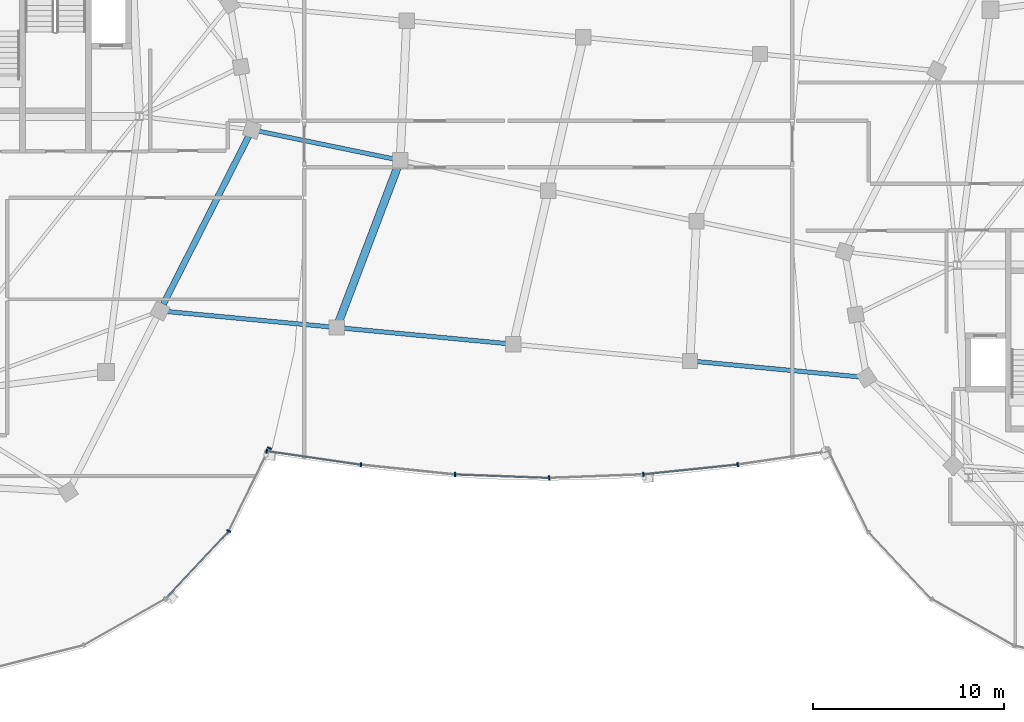
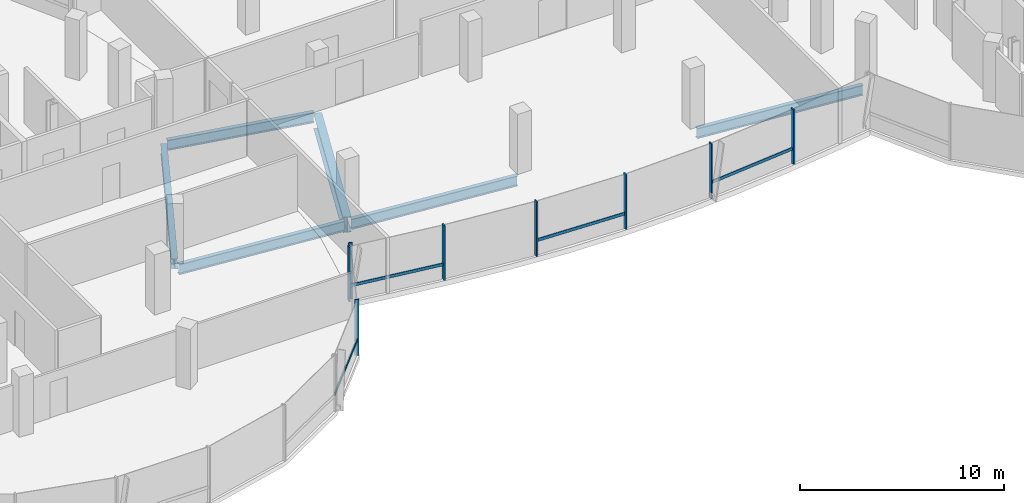
# One storey, part 4 of 26: 12 members, 6 beams, 2 elements without a shape of their own.
"""IFC4 building model written with IfcOpenShell, lengths in metres."""

from ifc_helpers import new_model, si_unit, direction, frame, origin, origin_2d, place, context, subcontext, project, spatial, rectangle, i_section, extrude, material, material_profile, profile_set, type_object, element, aggregate, save


model = new_model("IFC4")

# Units and contexts
model_context = context("Model", 3, precision=1e-05, world=origin(), true_north=direction((0.0, 1.0)))
body_context = subcontext(model_context, "Body", "Model", "MODEL_VIEW")
ifc_project = project(units=[si_unit("LENGTHUNIT", "METRE"), si_unit("AREAUNIT", "SQUARE_METRE"), si_unit("VOLUMEUNIT", "CUBIC_METRE"), si_unit("PLANEANGLEUNIT", "RADIAN"), si_unit("MASSUNIT", "GRAM", prefix="KILO"), si_unit("THERMODYNAMICTEMPERATUREUNIT", "KELVIN"), si_unit("POWERUNIT", "WATT")], contexts=[model_context])

# Site, building, storey
site_placement = place(None, origin())
site = spatial("IfcSite", under=ifc_project, at=site_placement, CompositionType="ELEMENT")
building_placement = place(site_placement, origin())
building = spatial("IfcBuilding", under=site, at=building_placement, Name="Cundina Bronze Exchange", CompositionType="ELEMENT")
storey_placement = place(building_placement, frame((0.0, 0.0, 261.199951171875)))
storey = spatial("IfcBuildingStorey", under=building, at=storey_placement, Name="L69", CompositionType="ELEMENT", Elevation=261.199951171875)

# Beams
ifc_material_1 = material(Name="Steel ASTM A992 Grade 50", Category="steel")
ifc_material_profile_1 = material_profile(ifc_material_1, i_section(OverallWidth=0.22998046875, OverallDepth=0.616943359375, WebThickness=0.01318359375, FlangeThickness=0.022216796875, FilletRadius=0.013916015625, at=origin_2d()), Name="W24X94", Category="steel")
ifc_profile_set_1 = profile_set([ifc_material_profile_1], Name="Steel ASTM A992 Grade 50")
beam_type_1 = type_object("IfcBeamType", Name="BM-FLR-W24B", PredefinedType="BEAM", material=ifc_profile_set_1)
for number, where, z_axis, x_axis, name in (
    (1, (-20.19580078125, -6.31689453125, -0.62841796875), (0.995572136276, -0.094000646124, 0.0), (0.094000646124, 0.995572136276, 0.0), "L69 Sky-Gate Longitudinal Girder Y1-P1"),
    (2, (-10.927001953125, -7.19189453125, -0.62841796875), (0.995572136276, -0.094000646124, 0.0), (0.094000646124, 0.995572136276, 0.0), "L69 Sky-Gate Longitudinal Girder Y1-P2"),
):
    element("IfcBeam", number, at=place(storey_placement, frame(where, z_axis=z_axis, x_axis=x_axis)), inside=storey, type_object=beam_type_1, Name=name, PredefinedType="BEAM", context=body_context, shape_type="SweptSolid", body=[
        extrude(i_section(OverallWidth=0.22998046875, OverallDepth=0.616943359375, WebThickness=0.01318359375, FlangeThickness=0.022216796875, FilletRadius=0.013916015625, at=origin_2d()), origin(), (0.0, 0.0, 1.0), 8.949951171875),
    ])
beam_1_placement = place(storey_placement, frame((7.610595703125, -8.94189453125, -0.62841796875), z_axis=(0.995571895232, -0.094003199007, 0.0), x_axis=(0.094003199007, 0.995571895232, 0.0)))
element("IfcBeam", 3, at=beam_1_placement, inside=storey, type_object=beam_type_1, Name="L69 Sky-Gate Longitudinal Girder Y1-P4", PredefinedType="BEAM", context=body_context, shape_type="SweptSolid", body=[
    extrude(i_section(OverallWidth=0.22998046875, OverallDepth=0.616943359375, WebThickness=0.01318359375, FlangeThickness=0.022216796875, FilletRadius=0.013916015625, at=origin_2d()), origin(), (0.0, 0.0, 1.0), 8.94970703125),
])
beam_2_placement = place(storey_placement, frame((-15.373779296875, 3.163818359375, -0.62841796875), z_axis=(0.979471264571, -0.20158383338, 0.0), x_axis=(0.20158383338, 0.979471264571, 0.0)))
element("IfcBeam", 4, at=beam_2_placement, inside=storey, type_object=beam_type_1, Name="L69 Sky-Gate Longitudinal Girder Y2-P1", PredefinedType="BEAM", context=body_context, shape_type="SweptSolid", body=[
    extrude(i_section(OverallWidth=0.22998046875, OverallDepth=0.616943359375, WebThickness=0.01318359375, FlangeThickness=0.022216796875, FilletRadius=0.013916015625, at=origin_2d()), origin(), (0.0, 0.0, 1.0), 7.577880859375),
])
ifc_material_profile_2 = material_profile(ifc_material_1, i_section(OverallWidth=0.324951171875, OverallDepth=0.615966796875, WebThickness=0.013916015625, FlangeThickness=0.021484375, FilletRadius=0.01611328125, at=origin_2d()), Name="W24X117", Category="steel")
ifc_profile_set_2 = profile_set([ifc_material_profile_2], Name="Steel ASTM A992 Grade 50")
beam_type_2 = type_object("IfcBeamType", Name="BM-RING-W24", PredefinedType="USERDEFINED", material=ifc_profile_set_2)
beam_3_placement = place(storey_placement, frame((-20.19921875, -5.9541015625, -0.56787109375), z_axis=(0.452839263805, 0.891592171991, 0.0), x_axis=(-0.891592171991, 0.452839263805, 0.0)))
element("IfcBeam", 5, at=beam_3_placement, inside=storey, type_object=beam_type_2, Name="L69 W Perimeter Ring Girder 13", ObjectType="GIRDER", PredefinedType="USERDEFINED", context=body_context, shape_type="SweptSolid", body=[
    extrude(i_section(OverallWidth=0.324951171875, OverallDepth=0.615966796875, WebThickness=0.013916015625, FlangeThickness=0.021484375, FilletRadius=0.01611328125, at=origin_2d()), origin(), (0.0, 0.0, 1.0), 9.879150390625),
])
ifc_material_profile_3 = material_profile(ifc_material_1, i_section(OverallWidth=0.41796875, OverallDepth=0.927001953125, WebThickness=0.019287109375, FlangeThickness=0.031982421875, FilletRadius=0.02392578125, at=origin_2d()), Name="W36X231", Category="steel")
ifc_profile_set_3 = profile_set([ifc_material_profile_3], Name="Steel ASTM A992 Grade 50")
beam_type_3 = type_object("IfcBeamType", Name="BM-WRN-W36B", PredefinedType="USERDEFINED", material=ifc_profile_set_3)
beam_4_placement = place(storey_placement, frame((-11.042236328125, -7.006591796875, -0.783447265625), z_axis=(0.354911890514, 0.934899753969, 0.0), x_axis=(-0.934899753969, 0.354911890514, 0.0)))
element("IfcBeam", 6, at=beam_4_placement, inside=storey, type_object=beam_type_3, Name="L69 Sky-Gate Transverse Girder X1-S", ObjectType="GIRDER", PredefinedType="USERDEFINED", context=body_context, shape_type="SweptSolid", body=[
    extrude(i_section(OverallWidth=0.41796875, OverallDepth=0.927001953125, WebThickness=0.019287109375, FlangeThickness=0.031982421875, FilletRadius=0.02392578125, at=origin_2d()), origin(), (0.0, 0.0, 1.0), 9.02587890625),
])

# Curtain wall, members
ifc_material_2 = material(Name="Anodised Bronze Aluminium 6063-T6", Category="aluminium")
curtain_wall_type = type_object("IfcCurtainWallType", Name="CWS-SKG-BRG", PredefinedType="NOTDEFINED", material=ifc_material_2)
curtain_wall_1_placement = place(storey_placement, origin())
curtain_wall_1 = element("IfcCurtainWall", 7, at=curtain_wall_1_placement, inside=storey, type_object=curtain_wall_type, Name="L69 CW-06 Curtain Wall Run CWR-L69-W4", PredefinedType="NOTDEFINED")
ifc_material_profile_4 = material_profile(ifc_material_2, rectangle(XDim=0.074951171875, YDim=0.219970703125, at=origin_2d()), Name="AL75X220", Category="aluminium")
ifc_profile_set_4 = profile_set([ifc_material_profile_4], Name="Anodised Bronze Aluminium 6063-T6")
member_type_1 = type_object("IfcMemberType", Name="CWM-MUL-220", PredefinedType="MULLION", material=ifc_profile_set_4)
member_1_placement = place(storey_placement, frame((-16.7666015625, -17.856689453125, 0.0), z_axis=(0.0, 0.0, 1.0), x_axis=(0.440566004113, 0.897720221461, 0.0)))
member_1 = element("IfcMember", 8, at=member_1_placement, type_object=member_type_1, Name="CW-06 Mullion 2", PredefinedType="MULLION", context=body_context, shape_type="SweptSolid", body=[
    extrude(rectangle(XDim=0.074951171875, YDim=0.219970703125, at=origin_2d()), origin(), (0.0, 0.0, 1.0), 3.340087890625),
])
member_2_placement = place(storey_placement, frame((-14.630859375, -13.50390625, 0.0), z_axis=(0.0, 0.0, 1.0), x_axis=(0.440566004113, 0.897720221461, 0.0)))
member_2 = element("IfcMember", 9, at=member_2_placement, type_object=member_type_1, Name="CW-06 End Mullion", PredefinedType="MULLION", context=body_context, shape_type="SweptSolid", body=[
    extrude(rectangle(XDim=0.074951171875, YDim=0.219970703125, at=origin_2d()), origin(), (0.0, 0.0, 1.0), 3.340087890625),
])

curtain_wall_2_placement = place(storey_placement, origin())
curtain_wall_2 = element("IfcCurtainWall", 10, at=curtain_wall_2_placement, inside=storey, type_object=curtain_wall_type, Name="L69 CW-06 Curtain Wall Run CWR-L69-BRGS", PredefinedType="NOTDEFINED")
member_3_placement = place(storey_placement, frame((-14.779296875, -13.658935546875, 0.0), z_axis=(0.0, 0.0, 1.0), x_axis=(0.989525789069, -0.144356201001, 0.0)))
member_3 = element("IfcMember", 11, at=member_3_placement, type_object=member_type_1, Name="CW-06 Mullion 1", PredefinedType="MULLION", context=body_context, shape_type="SweptSolid", body=[
    extrude(rectangle(XDim=0.074951171875, YDim=0.219970703125, at=origin_2d()), origin(), (0.0, 0.0, 1.0), 3.280029296875),
])
member_4_placement = place(storey_placement, frame((-9.83447265625, -14.378173828125, 0.0), z_axis=(0.0, 0.0, 1.0), x_axis=(0.994666875153, -0.103139747302, 0.0)))
member_4 = element("IfcMember", 12, at=member_4_placement, type_object=member_type_1, Name="CW-06 Mullion 2", PredefinedType="MULLION", context=body_context, shape_type="SweptSolid", body=[
    extrude(rectangle(XDim=0.074951171875, YDim=0.219970703125, at=origin_2d()), origin(), (0.0, 0.0, 1.0), 3.280029296875),
])
member_5_placement = place(storey_placement, frame((-4.892578125, -14.88720703125, 0.0), z_axis=(0.0, 0.0, 1.0), x_axis=(0.999302568116, -0.037341362551, 0.0)))
member_5 = element("IfcMember", 13, at=member_5_placement, type_object=member_type_1, Name="CW-06 Mullion 3", PredefinedType="MULLION", context=body_context, shape_type="SweptSolid", body=[
    extrude(rectangle(XDim=0.074951171875, YDim=0.219970703125, at=origin_2d()), origin(), (0.0, 0.0, 1.0), 3.280029296875),
])
member_6_placement = place(storey_placement, frame((0.047607421875, -15.068115234375, 0.0), z_axis=(0.0, 0.0, 1.0), x_axis=(0.999302568116, 0.037341362551, 0.0)))
member_6 = element("IfcMember", 14, at=member_6_placement, type_object=member_type_1, Name="CW-06 Mullion 4", PredefinedType="MULLION", context=body_context, shape_type="SweptSolid", body=[
    extrude(rectangle(XDim=0.074951171875, YDim=0.219970703125, at=origin_2d()), origin(), (0.0, 0.0, 1.0), 3.280029296875),
])
member_7_placement = place(storey_placement, frame((4.98876953125, -14.88037109375, 0.0), z_axis=(0.0, 0.0, 1.0), x_axis=(0.994666875153, 0.103139747302, 0.0)))
member_7 = element("IfcMember", 15, at=member_7_placement, type_object=member_type_1, Name="CW-06 Mullion 5", PredefinedType="MULLION", context=body_context, shape_type="SweptSolid", body=[
    extrude(rectangle(XDim=0.074951171875, YDim=0.219970703125, at=origin_2d()), origin(), (0.0, 0.0, 1.0), 3.280029296875),
])
member_8_placement = place(storey_placement, frame((9.93310546875, -14.36572265625, 0.0), z_axis=(0.0, 0.0, 1.0), x_axis=(0.989525789069, 0.144356201001, 0.0)))
member_8 = element("IfcMember", 16, at=member_8_placement, type_object=member_type_1, Name="CW-06 Mullion 6", PredefinedType="MULLION", context=body_context, shape_type="SweptSolid", body=[
    extrude(rectangle(XDim=0.074951171875, YDim=0.219970703125, at=origin_2d()), origin(), (0.0, 0.0, 1.0), 3.280029296875),
])

# Member
ifc_material_profile_5 = material_profile(ifc_material_2, rectangle(XDim=0.070068359375, YDim=0.179931640625, at=origin_2d()), Name="AL70X180", Category="aluminium")
ifc_profile_set_5 = profile_set([ifc_material_profile_5], Name="Anodised Bronze Aluminium 6063-T6")
member_type_2 = type_object("IfcMemberType", Name="CWM-TRN-180", PredefinedType="USERDEFINED", material=ifc_profile_set_5)
member_9_placement = place(storey_placement, frame((-20.031494140625, -21.349609375, 0.920166015625), z_axis=(0.684328474899, 0.729173873944, 0.0), x_axis=(-0.729173873944, 0.684328474899, 0.0)))
member_9 = element("IfcMember", 17, at=member_9_placement, type_object=member_type_2, Name="CW-06 Spandrel Transom 1", ObjectType="TRANSOM", PredefinedType="USERDEFINED", context=body_context, shape_type="SweptSolid", body=[
    extrude(rectangle(XDim=0.070068359375, YDim=0.179931640625, at=origin_2d()), origin(), (0.0, 0.0, 1.0), 4.758056640625),
])

aggregate(curtain_wall_1, [member_9, member_1, member_2])

member_10_placement = place(storey_placement, frame((-14.738525390625, -13.664794921875, 0.91845703125), z_axis=(0.989531497997, -0.144317062302, 0.0), x_axis=(0.144317062302, 0.989531497997, 0.0)))
member_10 = element("IfcMember", 18, at=member_10_placement, type_object=member_type_2, Name="CW-06 Spandrel Transom 1", ObjectType="TRANSOM", PredefinedType="USERDEFINED", context=body_context, shape_type="SweptSolid", body=[
    extrude(rectangle(XDim=0.070068359375, YDim=0.179931640625, at=origin_2d()), origin(), (0.0, 0.0, 1.0), 4.8974609375),
])

member_11_placement = place(storey_placement, frame((-4.8515625, -14.888671875, 0.91845703125), z_axis=(0.999303683555, -0.037311500026, 0.0), x_axis=(0.037311500026, 0.999303683555, 0.0)))
member_11 = element("IfcMember", 19, at=member_11_placement, type_object=member_type_2, Name="CW-06 Spandrel Transom 3", ObjectType="TRANSOM", PredefinedType="USERDEFINED", context=body_context, shape_type="SweptSolid", body=[
    extrude(rectangle(XDim=0.070068359375, YDim=0.179931640625, at=origin_2d()), origin(), (0.0, 0.0, 1.0), 4.8486328125),
])

member_12_placement = place(storey_placement, frame((5.02978515625, -14.8759765625, 0.91845703125), z_axis=(0.994672497027, 0.103085516243, 0.0), x_axis=(-0.103085516243, 0.994672497027, 0.0)))
member_12 = element("IfcMember", 20, at=member_12_placement, type_object=member_type_2, Name="CW-06 Spandrel Transom 5", ObjectType="TRANSOM", PredefinedType="USERDEFINED", context=body_context, shape_type="SweptSolid", body=[
    extrude(rectangle(XDim=0.070068359375, YDim=0.179931640625, at=origin_2d()), origin(), (0.0, 0.0, 1.0), 4.87158203125),
])

aggregate(curtain_wall_2, [member_3, member_10, member_4, member_5, member_11, member_6, member_7, member_12, member_8])

save(model, "model.ifc")
